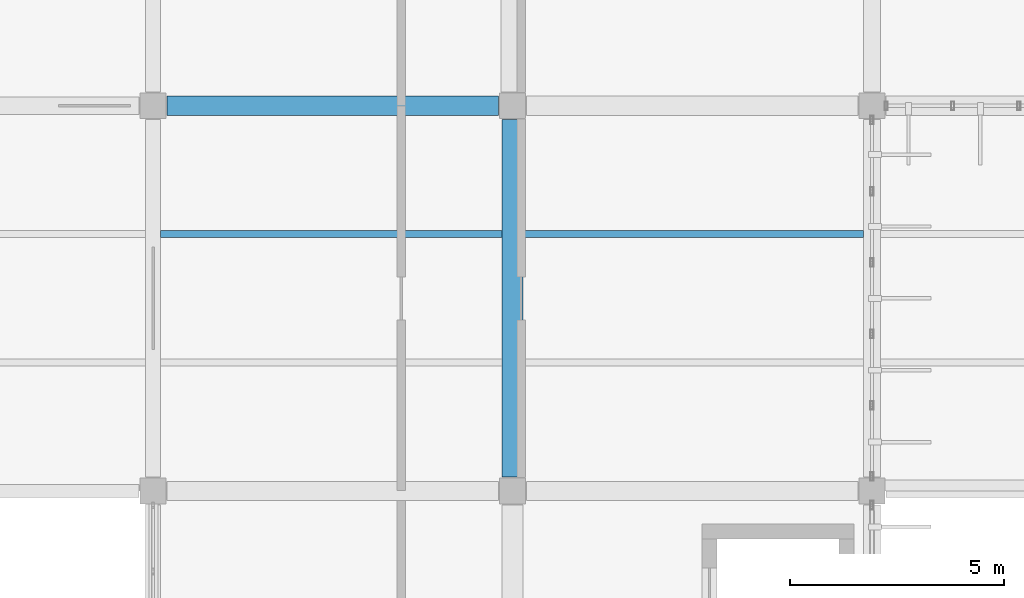
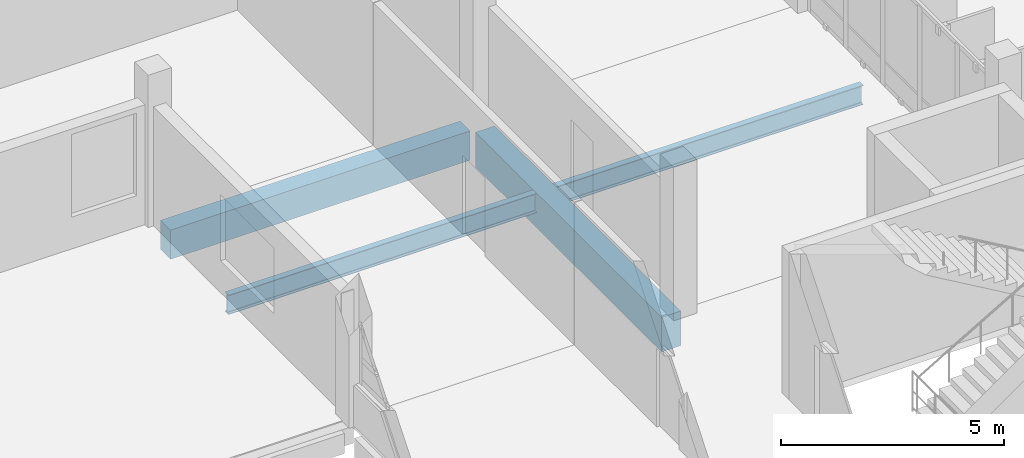
# One storey, part 75 of 130: 4 beams.
"""IFC4 building model written with IfcOpenShell, lengths in metres."""

import ifcopenshell
import ifcopenshell.guid

model = None  # the IFC model being written
_history = None  # IfcOwnerHistory: only IFC2X3 demands one
_inside = {}  # id of a spatial element -> (the spatial element, [elements in it])
_under = {}  # id of a project, library or spatial element -> (it, [spatial elements below it])
_declared = {}  # id of a project -> (the project, [libraries it declares])
_typed = {}  # id of a type object -> (the type object, [elements of that type])
_made_of = {}  # id of a material, layer set ... -> (it, [elements and type objects made of it])


def new_model(schema):
    """Start an empty IFC model of exactly this schema.

    Asked for "IFC4X3", IfcOpenShell would pick the latest addendum, in which some entities
    have other attributes; the version numbers below select the first issue.
    IFC2X3 requires an IfcOwnerHistory on every rooted entity: one is made here for all.
    """
    global model, _history
    if schema == "IFC4X3":
        model = ifcopenshell.file(schema_version=(4, 3, 0, 0))
    else:
        model = ifcopenshell.file(schema=schema)
    _inside.clear()
    _under.clear()
    _declared.clear()
    _typed.clear()
    _made_of.clear()
    _history = None
    if model.schema == "IFC2X3":
        org = make("IfcOrganization", Name="unknown")
        user = make(
            "IfcPersonAndOrganization",
            ThePerson=make("IfcPerson", FamilyName="unknown"),
            TheOrganization=org,
        )
        app = make(
            "IfcApplication",
            ApplicationDeveloper=org,
            Version="unknown",
            ApplicationFullName="unknown",
            ApplicationIdentifier="unknown",
        )
        _history = make(
            "IfcOwnerHistory",
            OwningUser=user,
            OwningApplication=app,
            ChangeAction="ADDED",
            CreationDate=0,
        )
    return model


def make(cls, **values):
    """One entity of the class cls with the attributes given. An attribute that is None is left unset."""
    return model.create_entity(
        cls, **{name: value for name, value in values.items() if value is not None}
    )


def rooted(cls, **values):
    """An entity with a GlobalId (a new one), such as an element, a storey or a relation."""
    return make(cls, GlobalId=ifcopenshell.guid.new(), OwnerHistory=_history, **values)


def si_unit(unit_type, name, prefix=None):
    """IfcSIUnit, for example si_unit("LENGTHUNIT", "METRE", prefix="MILLI")."""
    return make("IfcSIUnit", UnitType=unit_type, Prefix=prefix, Name=name)


def assignment(units):
    """IfcUnitAssignment: the units of a project."""
    return None if units is None else make("IfcUnitAssignment", Units=units)


def point(xyz):
    """IfcCartesianPoint."""
    return None if xyz is None else make("IfcCartesianPoint", Coordinates=xyz)


def direction(xyz):
    """IfcDirection."""
    return None if xyz is None else make("IfcDirection", DirectionRatios=xyz)


def frame(location, z_axis=None, x_axis=None):
    """IfcAxis2Placement3D, a coordinate frame: its origin and axes. An axis left out is left unset."""
    return make(
        "IfcAxis2Placement3D",
        Location=point(location),
        Axis=direction(z_axis),
        RefDirection=direction(x_axis),
    )


def frame_2d(location, x_axis=None):
    """IfcAxis2Placement2D, a coordinate frame in the plane: its origin and x axis."""
    return make(
        "IfcAxis2Placement2D", Location=point(location), RefDirection=direction(x_axis)
    )


def origin():
    """The frame at (0, 0, 0) with its axes left unset."""
    return frame((0.0, 0.0, 0.0))


def origin_2d():
    """The frame at (0, 0) in the plane with its x axis left unset."""
    return frame_2d((0.0, 0.0))


def place(relative_to, where):
    """IfcLocalPlacement: puts the frame where relative to a parent placement (None: the world)."""
    return make(
        "IfcLocalPlacement", PlacementRelTo=relative_to, RelativePlacement=where
    )


def context(
    kind, dimensions, precision=None, world=None, true_north=None, identifier=None
):
    """IfcGeometricRepresentationContext, for example the 3D "Model" context."""
    return make(
        "IfcGeometricRepresentationContext",
        ContextIdentifier=identifier,
        ContextType=kind,
        CoordinateSpaceDimension=dimensions,
        Precision=precision,
        WorldCoordinateSystem=world,
        TrueNorth=true_north,
    )


def subcontext(parent, identifier, kind, view, scale=None):
    """IfcGeometricRepresentationSubContext, for example "Body" below "Model"."""
    return make(
        "IfcGeometricRepresentationSubContext",
        ContextIdentifier=identifier,
        ContextType=kind,
        ParentContext=parent,
        TargetScale=scale,
        TargetView=view,
    )


def project(units=None, contexts=None):
    """IfcProject with its units and contexts."""
    return rooted(
        "IfcProject",
        Name="project",
        RepresentationContexts=contexts,
        UnitsInContext=assignment(units),
    )


def spatial(cls, under=None, at=None, **own):
    """A site, building, storey or space (cls), placed at a placement, below another one or the project."""
    s = rooted(cls, ObjectPlacement=at, **own)
    if under is not None:
        _under.setdefault(under.id(), (under, []))[1].append(s)
    return s


def profile(cls, at=None, kind="AREA", **sizes):
    """A parametric profile (cls). Its sizes go by their IFC names, for example OverallWidth=200.0."""
    return make(cls, ProfileType=kind, Position=at, **sizes)


def rectangle(**sizes):
    """IfcRectangleProfileDef."""
    return profile("IfcRectangleProfileDef", **sizes)


def i_section(**sizes):
    """IfcIShapeProfileDef."""
    return profile("IfcIShapeProfileDef", **sizes)


def extrude(swept, where, along, depth):
    """IfcExtrudedAreaSolid: the profile swept, set in the frame where, extruded along a direction by depth."""
    return make(
        "IfcExtrudedAreaSolid",
        SweptArea=swept,
        Position=where,
        ExtrudedDirection=direction(along),
        Depth=depth,
    )


def shape(context_of_items, identifier, shape_type, items):
    """IfcShapeRepresentation: the items that make up one representation, for example the "Body"."""
    return make(
        "IfcShapeRepresentation",
        ContextOfItems=context_of_items,
        RepresentationIdentifier=identifier,
        RepresentationType=shape_type,
        Items=items,
    )


def material(Name=None, Category=None):
    """IfcMaterial."""
    return make("IfcMaterial", Name=Name, Category=Category)


def material_profile(
    of_material, cross_section, Name=None, Category=None, Priority=None
):
    """IfcMaterialProfile: a cross section and its material."""
    return make(
        "IfcMaterialProfile",
        Name=Name,
        Material=of_material,
        Profile=cross_section,
        Priority=Priority,
        Category=Category,
    )


def profile_set(profiles, Name=None, composite=None):
    """IfcMaterialProfileSet."""
    return make(
        "IfcMaterialProfileSet",
        Name=Name,
        MaterialProfiles=profiles,
        CompositeProfile=composite,
    )


def made_of(thing, what):
    """Note that an element or type object is made of a material, layer set ...; save() writes the relation."""
    if what is not None:
        _made_of.setdefault(what.id(), (what, []))[1].append(thing)
    return thing


def type_object(cls, material=None, **own):
    """A type object (cls), such as IfcWallType, which elements share."""
    return made_of(rooted(cls, **own), material)


def element(
    cls,
    number,
    at=None,
    inside=None,
    cuts=None,
    type_object=None,
    material=None,
    context=None,
    identifier="Body",
    shape_type=None,
    held_by="IfcProductDefinitionShape",
    body=None,
    shapes=None,
    **own,
):
    """One element of the class cls, such as IfcWall. Its Tag is "e" and its number.

    at: its placement. inside: the storey or other place that contains it. cuts: it is an
    opening in that element (IfcRelVoidsElement). A single representation is given by context,
    identifier, shape_type and body (its items); several are given by shapes. held_by: the class
    of the entity that holds the representations. save() writes the other relations.
    """
    e = rooted(cls, Tag="e%d" % number, ObjectPlacement=at, **own)
    if body is not None:
        shapes = [shape(context, identifier, shape_type, body)]
    if shapes is not None:
        e.Representation = make(held_by, Representations=shapes)
    if inside is not None:
        _inside.setdefault(inside.id(), (inside, []))[1].append(e)
    if cuts is not None:
        rooted(
            "IfcRelVoidsElement", RelatingBuildingElement=cuts, RelatedOpeningElement=e
        )
    if type_object is not None:
        _typed.setdefault(type_object.id(), (type_object, []))[1].append(e)
    return made_of(e, material)


def aggregate(whole, parts):
    """IfcRelAggregates: a whole, such as a stair, and the parts it consists of."""
    return rooted("IfcRelAggregates", RelatingObject=whole, RelatedObjects=parts)


def save(model, path):
    """Write the relations noted so far, then the file.

    IfcRelAggregates (storeys below a building ...), IfcRelContainedInSpatialStructure (elements
    in a storey), IfcRelDefinesByType, IfcRelAssociatesMaterial and IfcRelDeclares: one each for
    every whole, place, type object, material and project.
    """
    for whole, parts in _under.values():
        aggregate(whole, parts)
    for where, things in _inside.values():
        rooted(
            "IfcRelContainedInSpatialStructure",
            RelatedElements=things,
            RelatingStructure=where,
        )
    for kind, things in _typed.values():
        rooted("IfcRelDefinesByType", RelatedObjects=things, RelatingType=kind)
    for what, things in _made_of.values():
        rooted("IfcRelAssociatesMaterial", RelatedObjects=things, RelatingMaterial=what)
    for by, libraries in _declared.values():
        rooted("IfcRelDeclares", RelatingContext=by, RelatedDefinitions=libraries)
    model.write(path)


model = new_model("IFC4")

# Units and contexts
model_context = context("Model", 3, precision=1e-05, world=origin(), true_north=direction((0.0, 1.0)))
body_context = subcontext(model_context, "Body", "Model", "MODEL_VIEW")
ifc_project = project(units=[si_unit("LENGTHUNIT", "METRE"), si_unit("AREAUNIT", "SQUARE_METRE"), si_unit("VOLUMEUNIT", "CUBIC_METRE"), si_unit("PLANEANGLEUNIT", "RADIAN"), si_unit("MASSUNIT", "GRAM", prefix="KILO")], contexts=[model_context])

# Site, building, storey
site_placement = place(None, origin())
site = spatial("IfcSite", under=ifc_project, at=site_placement, CompositionType="ELEMENT")
building_placement = place(site_placement, origin())
building = spatial("IfcBuilding", under=site, at=building_placement, Name="Vireocrest Preparatory School", CompositionType="ELEMENT")
storey_placement = place(building_placement, frame((0.0, 0.0, 9.0)))
storey = spatial("IfcBuildingStorey", under=building, at=storey_placement, Name="L02", CompositionType="ELEMENT", Elevation=9.0)

# Beams
ifc_material_1 = material(Name="Structural steel ASTM A992 Grade 50", Category="steel")
ifc_material_profile_1 = material_profile(ifc_material_1, i_section(OverallWidth=0.166015625, OverallDepth=0.529052734375, WebThickness=0.009765625, FlangeThickness=0.013671875, FilletRadius=0.014892578125, at=origin_2d()), Name="W21X50")
ifc_profile_set_1 = profile_set([ifc_material_profile_1], Name="Structural steel ASTM A992 Grade 50")
beam_type_1 = type_object("IfcBeamType", Name="Pavilion Roof Joist W21X50", PredefinedType="JOIST", material=ifc_profile_set_1)
beam_1_placement = place(storey_placement, frame((92.574951171875, 91.800048828125, -0.564453125), z_axis=(1.0, 0.0, 0.0), x_axis=(0.0, 1.0, 0.0)))
element("IfcBeam", 1, at=beam_1_placement, inside=storey, type_object=beam_type_1, Name="Secondary Joist SJ1 L02-0983", PredefinedType="JOIST", context=body_context, shape_type="SweptSolid", body=[
    extrude(i_section(OverallWidth=0.166015625, OverallDepth=0.529052734375, WebThickness=0.009765625, FlangeThickness=0.013671875, FilletRadius=0.014892578125, at=origin_2d()), origin(), (0.0, 0.0, 1.0), 7.97509765625),
])
beam_2_placement = place(storey_placement, frame((101.050048828125, 91.800048828125, -0.564453125), z_axis=(1.0, 0.0, 0.0), x_axis=(0.0, 1.0, 0.0)))
element("IfcBeam", 2, at=beam_2_placement, inside=storey, type_object=beam_type_1, Name="Secondary Joist SJ1 L02-0999", PredefinedType="JOIST", context=body_context, shape_type="SweptSolid", body=[
    extrude(i_section(OverallWidth=0.166015625, OverallDepth=0.529052734375, WebThickness=0.009765625, FlangeThickness=0.013671875, FilletRadius=0.014892578125, at=origin_2d()), origin(), (0.0, 0.0, 1.0), 7.949951171875),
])
ifc_material_2 = material(Name="Concrete 40 MPa", Category="concrete")
ifc_material_profile_2 = material_profile(ifc_material_2, rectangle(XDim=0.5, YDim=0.949951171875, at=origin_2d()), Name="RC 500x950")
ifc_profile_set_2 = profile_set([ifc_material_profile_2], Name="Concrete 40 MPa")
beam_type_2 = type_object("IfcBeamType", Name="RC Basement Ceiling Girder 500x950", PredefinedType="BEAM", material=ifc_profile_set_2)
beam_3_placement = place(storey_placement, frame((100.800048828125, 86.125, -0.77490234375), z_axis=(0.0, 1.0, 0.0), x_axis=(-1.0, 0.0, 0.0)))
element("IfcBeam", 3, at=beam_3_placement, inside=storey, type_object=beam_type_2, Name="Primary Girder B16 L02-0855", PredefinedType="BEAM", context=body_context, shape_type="SweptSolid", body=[
    extrude(rectangle(XDim=0.5, YDim=0.949951171875, at=origin_2d()), origin(), (0.0, 0.0, 1.0), 8.35009765625),
])
ifc_material_profile_3 = material_profile(ifc_material_2, rectangle(XDim=0.449951171875, YDim=0.800048828125, at=origin_2d()), Name="RC 450x800")
ifc_profile_set_3 = profile_set([ifc_material_profile_3], Name="Concrete 40 MPa")
beam_type_3 = type_object("IfcBeamType", Name="RC Library Stack Girder 450x800", PredefinedType="BEAM", material=ifc_profile_set_3)
beam_4_placement = place(storey_placement, frame((92.72509765625, 94.800048828125, -0.699951171875), z_axis=(1.0, 0.0, 0.0), x_axis=(0.0, 1.0, 0.0)))
element("IfcBeam", 4, at=beam_4_placement, inside=storey, type_object=beam_type_3, Name="Primary Girder B12 L02-0762", PredefinedType="BEAM", context=body_context, shape_type="SweptSolid", body=[
    extrude(rectangle(XDim=0.449951171875, YDim=0.800048828125, at=origin_2d()), origin(), (0.0, 0.0, 1.0), 7.75),
])

save(model, "model.ifc")
